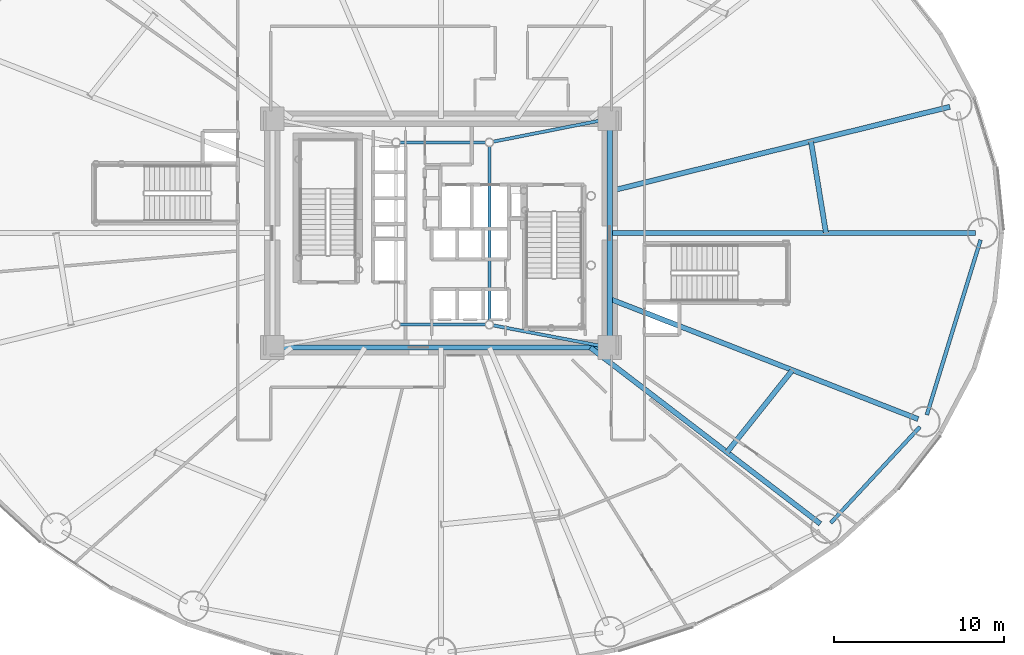
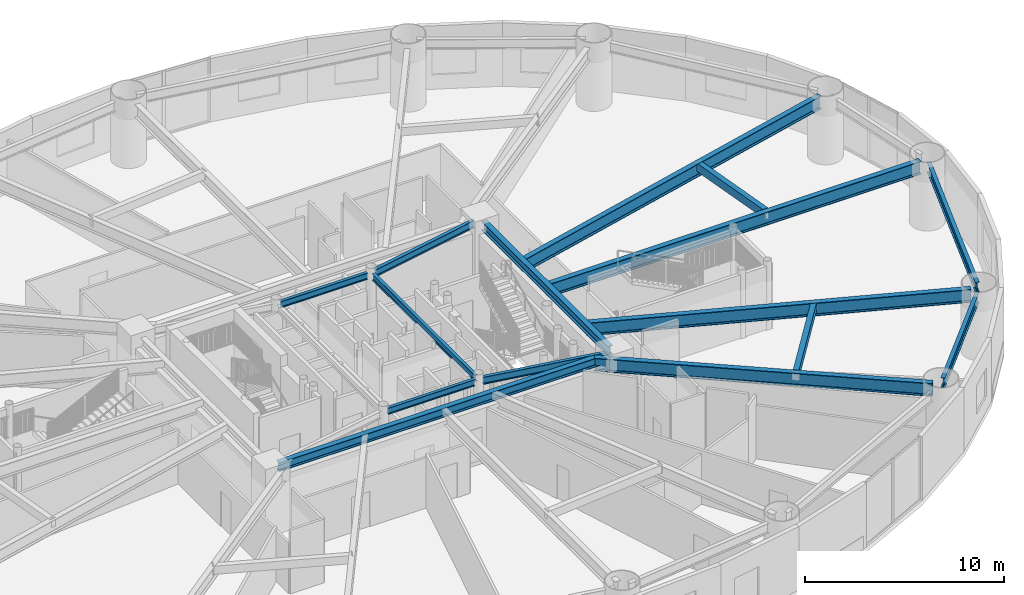
# One storey, part 7 of 31: 15 beams.
"""IFC4 building model written with IfcOpenShell, lengths in metres."""

from ifc_helpers import new_model, si_unit, direction, frame, origin, origin_2d, place, context, subcontext, project, spatial, hollow_rectangle, i_section, extrude, material, material_profile, profile_set, type_object, element, save


model = new_model("IFC4")

# Units and contexts
model_context = context("Model", 3, precision=1e-05, world=origin(), true_north=direction((0.0, 1.0)))
body_context = subcontext(model_context, "Body", "Model", "MODEL_VIEW")
ifc_project = project(units=[si_unit("LENGTHUNIT", "METRE"), si_unit("AREAUNIT", "SQUARE_METRE"), si_unit("VOLUMEUNIT", "CUBIC_METRE"), si_unit("PLANEANGLEUNIT", "RADIAN"), si_unit("MASSUNIT", "GRAM", prefix="KILO")], contexts=[model_context])

# Site, building, storey
site_placement = place(None, origin())
site = spatial("IfcSite", under=ifc_project, at=site_placement, CompositionType="ELEMENT")
building_placement = place(site_placement, origin())
building = spatial("IfcBuilding", under=site, at=building_placement, Name="Linh Dai School and Residence Tower", CompositionType="ELEMENT")
storey_placement = place(building_placement, frame((0.0, 0.0, 6.0)))
storey = spatial("IfcBuildingStorey", under=building, at=storey_placement, Name="L01", CompositionType="ELEMENT", Elevation=6.0)

# Beams
ifc_material = material(Name="Structural Steel S355JR", Category="steel")
ifc_material_profile_1 = material_profile(ifc_material, hollow_rectangle(XDim=0.300048828125, YDim=0.5, WallThickness=0.01611328125, at=origin_2d()), Name="RHS 500x300x16")
ifc_profile_set_1 = profile_set([ifc_material_profile_1], Name="Structural Steel S355JR")
beam_type_1 = type_object("IfcBeamType", Name="BM-BX5", PredefinedType="BEAM", material=ifc_profile_set_1)
beam_1_placement = place(storey_placement, frame((58.709228515625, 27.0048828125, 3.64990234375), z_axis=(-0.161524054525, 0.986868775375, 0.0), x_axis=(-0.986868775375, -0.161524054525, 0.0)))
element("IfcBeam", 1, at=beam_1_placement, inside=storey, type_object=beam_type_1, Name="L01 Secondary Circumferential Floor Beam 01", PredefinedType="BEAM", context=body_context, shape_type="SweptSolid", body=[
    extrude(hollow_rectangle(XDim=0.300048828125, YDim=0.5, WallThickness=0.01611328125, at=origin_2d()), origin(), (0.0, 0.0, 1.0), 5.482177734375),
])
beam_2_placement = place(storey_placement, frame((52.871337890625, 14.076416015625, 3.64990234375), z_axis=(0.622932148127, 0.782275871308, 0.0), x_axis=(-0.782275871308, 0.622932148127, 0.0)))
element("IfcBeam", 2, at=beam_2_placement, inside=storey, type_object=beam_type_1, Name="L01 Secondary Circumferential Floor Beam 08", PredefinedType="BEAM", context=body_context, shape_type="SweptSolid", body=[
    extrude(hollow_rectangle(XDim=0.300048828125, YDim=0.5, WallThickness=0.01611328125, at=origin_2d()), origin(), (0.0, 0.0, 1.0), 6.186767578125),
])
ifc_material_profile_2 = material_profile(ifc_material, i_section(OverallWidth=0.219970703125, OverallDepth=0.60009765625, WebThickness=0.011962890625, FlangeThickness=0.01904296875, FilletRadius=0.02392578125, at=origin_2d()), Name="IPE 600")
ifc_profile_set_2 = profile_set([ifc_material_profile_2], Name="Structural Steel S355JR")
beam_type_2 = type_object("IfcBeamType", Name="BM-RB60", PredefinedType="BEAM", material=ifc_profile_set_2)
beam_3_placement = place(storey_placement, frame((58.990966796875, 9.9072265625, 3.60009765625), z_axis=(0.680345653715, 0.73289139132, 0.0), x_axis=(-0.73289139132, 0.680345653715, 0.0)))
element("IfcBeam", 3, at=beam_3_placement, inside=storey, type_object=beam_type_2, Name="L01 Perimeter Elliptical Ring Beam 15", PredefinedType="BEAM", context=body_context, shape_type="SweptSolid", body=[
    extrude(i_section(OverallWidth=0.219970703125, OverallDepth=0.60009765625, WebThickness=0.011962890625, FlangeThickness=0.01904296875, FilletRadius=0.02392578125, at=origin_2d()), origin(), (0.0, 0.0, 1.0), 7.726806640625),
])
beam_4_placement = place(storey_placement, frame((64.656982421875, 16.279541015625, 3.60009765625), z_axis=(0.293626522026, 0.955920219246, 0.0), x_axis=(-0.955920219246, 0.293626522026, 0.0)))
element("IfcBeam", 4, at=beam_4_placement, inside=storey, type_object=beam_type_2, Name="L01 Perimeter Elliptical Ring Beam 16", PredefinedType="BEAM", context=body_context, shape_type="SweptSolid", body=[
    extrude(i_section(OverallWidth=0.219970703125, OverallDepth=0.60009765625, WebThickness=0.011962890625, FlangeThickness=0.01904296875, FilletRadius=0.02392578125, at=origin_2d()), origin(), (0.0, 0.0, 1.0), 10.794921875),
])
ifc_material_profile_3 = material_profile(ifc_material, i_section(OverallWidth=0.300048828125, OverallDepth=0.550048828125, WebThickness=0.014892578125, FlangeThickness=0.029052734375, FilletRadius=0.027099609375, at=origin_2d()), Name="HEB 550")
ifc_profile_set_3 = profile_set([ifc_material_profile_3], Name="Structural Steel S355JR")
beam_type_3 = type_object("IfcBeamType", Name="BM-RG55", PredefinedType="BEAM", material=ifc_profile_set_3)
beam_5_placement = place(storey_placement, frame((26.469970703125, 20.25, 3.625), z_axis=(1.0, 0.0, 0.0), x_axis=(0.0, 1.0, 0.0)))
element("IfcBeam", 5, at=beam_5_placement, inside=storey, type_object=beam_type_3, Name="L01 Core Perimeter Coupling Girder 1", PredefinedType="BEAM", context=body_context, shape_type="SweptSolid", body=[
    extrude(i_section(OverallWidth=0.300048828125, OverallDepth=0.550048828125, WebThickness=0.014892578125, FlangeThickness=0.029052734375, FilletRadius=0.027099609375, at=origin_2d()), origin(), (0.0, 0.0, 1.0), 19.06005859375),
])
beam_6_placement = place(storey_placement, frame((45.949951171875, 20.669921875, 3.625), z_axis=(0.0, 1.0, 0.0), x_axis=(-1.0, 0.0, 0.0)))
element("IfcBeam", 6, at=beam_6_placement, inside=storey, type_object=beam_type_3, Name="L01 Core Perimeter Coupling Girder 2", PredefinedType="BEAM", context=body_context, shape_type="SweptSolid", body=[
    extrude(i_section(OverallWidth=0.300048828125, OverallDepth=0.550048828125, WebThickness=0.014892578125, FlangeThickness=0.029052734375, FilletRadius=0.027099609375, at=origin_2d()), origin(), (0.0, 0.0, 1.0), 12.66015625),
])
ifc_material_profile_4 = material_profile(ifc_material, i_section(OverallWidth=0.300048828125, OverallDepth=0.800048828125, WebThickness=0.017578125, FlangeThickness=0.032958984375, FilletRadius=0.030029296875, at=origin_2d()), Name="HEB 800")
ifc_profile_set_4 = profile_set([ifc_material_profile_4], Name="Structural Steel S355JR")
beam_type_4 = type_object("IfcBeamType", Name="BM-RG8", PredefinedType="BEAM", material=ifc_profile_set_4)
beam_7_placement = place(storey_placement, frame((45.949951171875, 27.0, 3.5), z_axis=(1.0, 0.0, 0.0), x_axis=(0.0, 1.0, 0.0)))
element("IfcBeam", 7, at=beam_7_placement, inside=storey, type_object=beam_type_4, Name="L01 Primary Radial Floor Girder 01", PredefinedType="BEAM", context=body_context, shape_type="SweptSolid", body=[
    extrude(i_section(OverallWidth=0.300048828125, OverallDepth=0.800048828125, WebThickness=0.017578125, FlangeThickness=0.032958984375, FilletRadius=0.030029296875, at=origin_2d()), origin(), (0.0, 0.0, 1.0), 21.580078125),
])
beam_8_placement = place(storey_placement, frame((45.949951171875, 29.47119140625, 3.5), z_axis=(0.970515097282, 0.241040340913, 0.0), x_axis=(-0.241040340913, 0.970515097282, 0.0)))
element("IfcBeam", 8, at=beam_8_placement, inside=storey, type_object=beam_type_4, Name="L01 Primary Radial Floor Girder 02", PredefinedType="BEAM", context=body_context, shape_type="SweptSolid", body=[
    extrude(i_section(OverallWidth=0.300048828125, OverallDepth=0.800048828125, WebThickness=0.017578125, FlangeThickness=0.032958984375, FilletRadius=0.030029296875, at=origin_2d()), origin(), (0.0, 0.0, 1.0), 20.672607421875),
])
beam_9_placement = place(storey_placement, frame((44.807861328125, 20.25, 3.5), z_axis=(0.793713040757, -0.608292371259, 0.0), x_axis=(0.608292371259, 0.793713040757, 0.0)))
element("IfcBeam", 9, at=beam_9_placement, inside=storey, type_object=beam_type_4, Name="L01 Primary Radial Floor Girder 15", PredefinedType="BEAM", context=body_context, shape_type="SweptSolid", body=[
    extrude(i_section(OverallWidth=0.300048828125, OverallDepth=0.800048828125, WebThickness=0.017578125, FlangeThickness=0.032958984375, FilletRadius=0.030029296875, at=origin_2d()), origin(), (0.0, 0.0, 1.0), 17.08935546875),
])
beam_10_placement = place(storey_placement, frame((45.949951171875, 23.12158203125, 3.5), z_axis=(0.931723276589, -0.363169018312, 0.0), x_axis=(0.363169018312, 0.931723276589, 0.0)))
element("IfcBeam", 10, at=beam_10_placement, inside=storey, type_object=beam_type_4, Name="L01 Primary Radial Floor Girder 16", PredefinedType="BEAM", context=body_context, shape_type="SweptSolid", body=[
    extrude(i_section(OverallWidth=0.300048828125, OverallDepth=0.800048828125, WebThickness=0.017578125, FlangeThickness=0.032958984375, FilletRadius=0.030029296875, at=origin_2d()), origin(), (0.0, 0.0, 1.0), 19.525634765625),
])
ifc_material_profile_5 = material_profile(ifc_material, i_section(OverallWidth=0.179931640625, OverallDepth=0.39990234375, WebThickness=0.008544921875, FlangeThickness=0.013427734375, FilletRadius=0.02099609375, at=origin_2d()), Name="IPE 400")
ifc_profile_set_5 = profile_set([ifc_material_profile_5], Name="Structural Steel S355JR")
beam_type_5 = type_object("IfcBeamType", Name="BM-SB40", PredefinedType="BEAM", material=ifc_profile_set_5)
beam_11_placement = place(storey_placement, frame((33.573974609375, 21.60009765625, 3.699951171875), z_axis=(1.0, 0.0, 0.0), x_axis=(0.0, 1.0, 0.0)))
element("IfcBeam", 11, at=beam_11_placement, inside=storey, type_object=beam_type_5, Name="L01 Core Mast Pier Tie Beam 1", PredefinedType="BEAM", context=body_context, shape_type="SweptSolid", body=[
    extrude(i_section(OverallWidth=0.179931640625, OverallDepth=0.39990234375, WebThickness=0.008544921875, FlangeThickness=0.013427734375, FilletRadius=0.02099609375, at=origin_2d()), origin(), (0.0, 0.0, 1.0), 5.052001953125),
])
beam_12_placement = place(storey_placement, frame((38.85009765625, 21.823974609375, 3.699951171875), z_axis=(0.0, 1.0, 0.0), x_axis=(-1.0, 0.0, 0.0)))
element("IfcBeam", 12, at=beam_12_placement, inside=storey, type_object=beam_type_5, Name="L01 Core Mast Pier Tie Beam 2", PredefinedType="BEAM", context=body_context, shape_type="SweptSolid", body=[
    extrude(i_section(OverallWidth=0.179931640625, OverallDepth=0.39990234375, WebThickness=0.008544921875, FlangeThickness=0.013427734375, FilletRadius=0.02099609375, at=origin_2d()), origin(), (0.0, 0.0, 1.0), 10.302001953125),
])
beam_13_placement = place(storey_placement, frame((38.6259765625, 32.35009765625, 3.699951171875), z_axis=(-1.0, 0.0, 0.0), x_axis=(0.0, -1.0, 0.0)))
element("IfcBeam", 13, at=beam_13_placement, inside=storey, type_object=beam_type_5, Name="L01 Core Mast Pier Tie Beam 3", PredefinedType="BEAM", context=body_context, shape_type="SweptSolid", body=[
    extrude(i_section(OverallWidth=0.179931640625, OverallDepth=0.39990234375, WebThickness=0.008544921875, FlangeThickness=0.013427734375, FilletRadius=0.02099609375, at=origin_2d()), origin(), (0.0, 0.0, 1.0), 5.052001953125),
])
ifc_material_profile_6 = material_profile(ifc_material, i_section(OverallWidth=0.18994140625, OverallDepth=0.449951171875, WebThickness=0.009521484375, FlangeThickness=0.0146484375, FilletRadius=0.02099609375, at=origin_2d()), Name="IPE 450")
ifc_profile_set_6 = profile_set([ifc_material_profile_6], Name="Structural Steel S355JR")
beam_type_6 = type_object("IfcBeamType", Name="BM-SB45", PredefinedType="BEAM", material=ifc_profile_set_6)
beam_14_placement = place(storey_placement, frame((45.537353515625, 20.328369140625, 3.675048828125), z_axis=(-0.982397918823, 0.186800238471, 0.0), x_axis=(-0.186800238471, -0.982397918823, 0.0)))
element("IfcBeam", 14, at=beam_14_placement, inside=storey, type_object=beam_type_6, Name="L01 Core Corner-to-Mast Pier Beam 2", PredefinedType="BEAM", context=body_context, shape_type="SweptSolid", body=[
    extrude(i_section(OverallWidth=0.18994140625, OverallDepth=0.449951171875, WebThickness=0.009521484375, FlangeThickness=0.0146484375, FilletRadius=0.02099609375, at=origin_2d()), origin(), (0.0, 0.0, 1.0), 6.583251953125),
])
beam_15_placement = place(storey_placement, frame((45.537841796875, 33.668701171875, 3.675048828125), z_axis=(-0.981108354988, -0.193459028666, 0.0), x_axis=(0.193459028666, -0.981108354988, 0.0)))
element("IfcBeam", 15, at=beam_15_placement, inside=storey, type_object=beam_type_6, Name="L01 Core Corner-to-Mast Pier Beam 3", PredefinedType="BEAM", context=body_context, shape_type="SweptSolid", body=[
    extrude(i_section(OverallWidth=0.18994140625, OverallDepth=0.449951171875, WebThickness=0.009521484375, FlangeThickness=0.0146484375, FilletRadius=0.02099609375, at=origin_2d()), origin(), (0.0, 0.0, 1.0), 6.592529296875),
])

save(model, "model.ifc")
